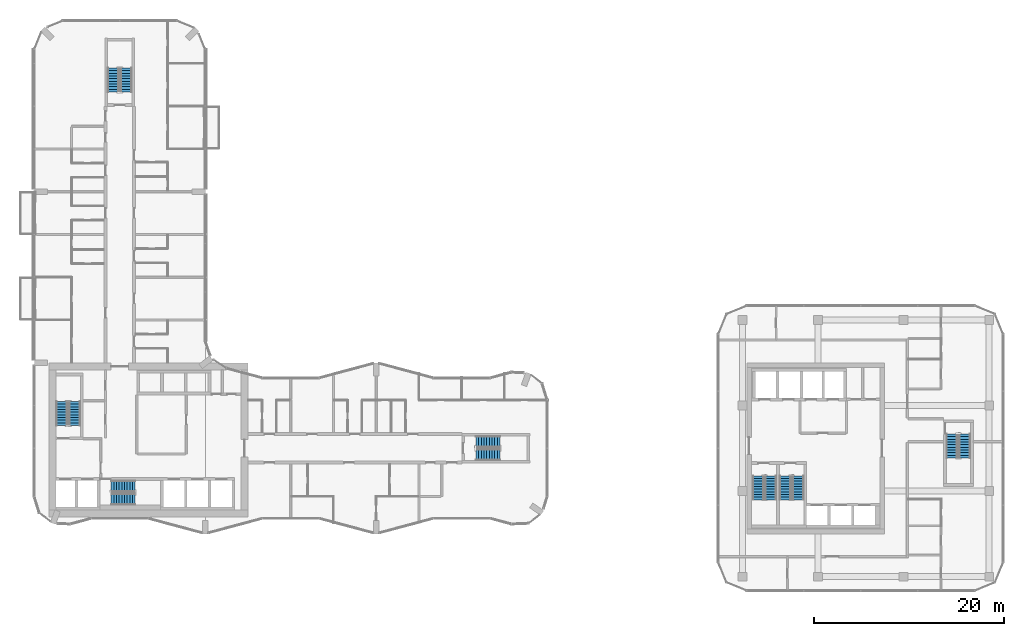
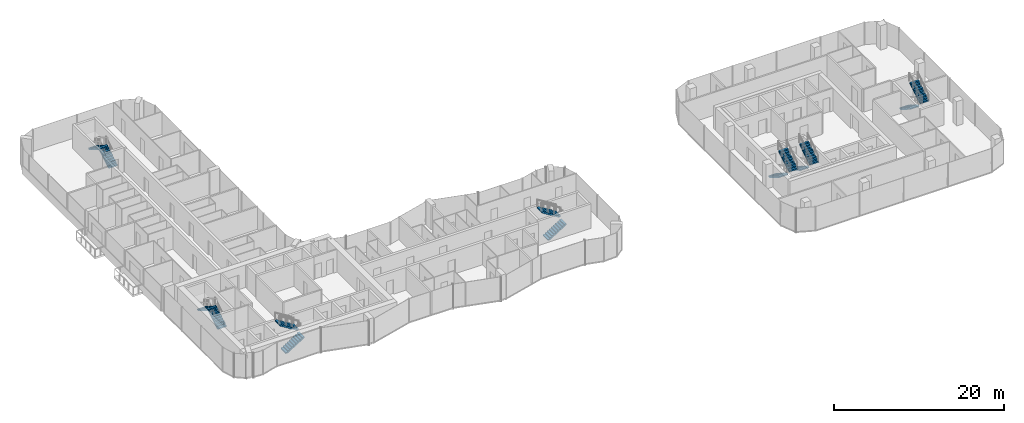
# One storey, part 21 of 24: 14 stair flights, 7 elements without a shape of their own.
"""IFC4 building model written with IfcOpenShell, lengths in metres."""

from ifc_helpers import new_model, si_unit, direction, frame, origin, place, context, subcontext, project, spatial, polyline, outline, extrude, material, type_object, element, aggregate, save


model = new_model("IFC4")

# Units and contexts
model_context = context("Model", 3, precision=1e-05, world=origin(), true_north=direction((0.0, 1.0)))
body_context = subcontext(model_context, "Body", "Model", "MODEL_VIEW")
ifc_project = project(units=[si_unit("LENGTHUNIT", "METRE"), si_unit("AREAUNIT", "SQUARE_METRE"), si_unit("VOLUMEUNIT", "CUBIC_METRE"), si_unit("PLANEANGLEUNIT", "RADIAN"), si_unit("MASSUNIT", "GRAM", prefix="KILO")], contexts=[model_context])

# Site, building, storey
site_placement = place(None, origin())
site = spatial("IfcSite", under=ifc_project, at=site_placement, CompositionType="ELEMENT")
building_placement = place(site_placement, origin())
building = spatial("IfcBuilding", under=site, at=building_placement, Name="Plateau Cross Towers", CompositionType="ELEMENT")
storey_placement = place(building_placement, frame((0.0, 0.0, 51.300048828125)))
storey = spatial("IfcBuildingStorey", under=building, at=storey_placement, Name="L12", CompositionType="ELEMENT", Elevation=51.300048828125)

# Stair, stair flights
ifc_material = material(Name="Concrete C40/50", Category="concrete")
stair_type = type_object("IfcStairType", Name="ST-TWR", PredefinedType="HALF_TURN_STAIR", material=ifc_material)
stair_1_placement = place(storey_placement, origin())
stair_1 = element("IfcStair", 1, at=stair_1_placement, inside=storey, type_object=stair_type, Name="L12 Protected Exit Stair ST-1", PredefinedType="HALF_TURN_STAIR")
stair_flight_type = type_object("IfcStairFlightType", Name="SFL-RC", PredefinedType="STRAIGHT", material=ifc_material)
stair_flight_1_placement = place(storey_placement, frame((4.25, 11.39990234375, 0.0), z_axis=(0.0, 0.0, 1.0), x_axis=(0.0, 1.0, 0.0)))
stair_flight_1 = element("IfcStairFlight", 2, at=stair_flight_1_placement, type_object=stair_flight_type, Name="ST-1 flight 1", NumberOfRisers=10, NumberOfTreads=9, PredefinedType="STRAIGHT", RiserHeight=0.175, TreadLength=0.28, context=body_context, shape_type="SweptSolid", body=[
    extrude(outline(polyline([(-0.0048828125, -0.010009765625), (-0.0048828125, 0.0), (0.0, 0.0), (0.0, 0.175048828125), (0.280029296875, 0.175048828125), (0.280029296875, 0.35009765625), (0.56005859375, 0.35009765625), (0.56005859375, 0.52490234375), (0.840087890625, 0.52490234375), (0.840087890625, 0.699951171875), (1.1201171875, 0.699951171875), (1.1201171875, 0.875), (1.39990234375, 0.875), (1.39990234375, 1.050048828125), (1.679931640625, 1.050048828125), (1.679931640625, 1.22509765625), (1.9599609375, 1.22509765625), (1.9599609375, 1.39990234375), (2.239990234375, 1.39990234375), (2.239990234375, 1.574951171875), (2.52001953125, 1.574951171875), (2.52490234375, 1.56494140625), (2.52490234375, 1.398193359375), (2.52001953125, 1.398193359375), (0.28271484375, 0.0), (0.02001953125, 0.0), (0.02001953125, -0.010009765625), (-0.0048828125, -0.010009765625)])), frame((0.0, 0.60009765625, 0.0), z_axis=(0.0, -1.0, 0.0), x_axis=(1.0, 0.0, 0.0)), (0.0, 0.0, 1.0), 1.199951171875),
])
stair_flight_2_placement = place(storey_placement, frame((2.89990234375, 13.919921875, 1.75), z_axis=(0.0, 0.0, 1.0), x_axis=(0.0, -1.0, 0.0)))
stair_flight_2 = element("IfcStairFlight", 3, at=stair_flight_2_placement, type_object=stair_flight_type, Name="ST-1 flight 2", NumberOfRisers=10, NumberOfTreads=9, PredefinedType="STRAIGHT", RiserHeight=0.175, TreadLength=0.28, context=body_context, shape_type="SweptSolid", body=[
    extrude(outline(polyline([(-0.0048828125, -0.010009765625), (-0.0048828125, 0.0), (0.0, 0.0), (0.0, 0.175048828125), (0.280029296875, 0.175048828125), (0.280029296875, 0.35009765625), (0.56005859375, 0.35009765625), (0.56005859375, 0.52490234375), (0.840087890625, 0.52490234375), (0.840087890625, 0.699951171875), (1.1201171875, 0.699951171875), (1.1201171875, 0.875), (1.39990234375, 0.875), (1.39990234375, 1.050048828125), (1.679931640625, 1.050048828125), (1.679931640625, 1.22509765625), (1.9599609375, 1.22509765625), (1.9599609375, 1.39990234375), (2.239990234375, 1.39990234375), (2.239990234375, 1.574951171875), (2.52001953125, 1.574951171875), (2.52490234375, 1.56494140625), (2.52490234375, 1.398193359375), (2.52001953125, 1.398193359375), (0.28271484375, 0.0), (0.02001953125, 0.0), (0.02001953125, -0.010009765625), (-0.0048828125, -0.010009765625)])), frame((0.0, 0.60009765625, 0.0), z_axis=(0.0, -1.0, 0.0), x_axis=(1.0, 0.0, 0.0)), (0.0, 0.0, 1.0), 1.199951171875),
])
aggregate(stair_1, [stair_flight_1, stair_flight_2])

stair_2_placement = place(storey_placement, origin())
stair_2 = element("IfcStair", 4, at=stair_2_placement, inside=storey, type_object=stair_type, Name="L12 Protected Exit Stair ST-2", PredefinedType="HALF_TURN_STAIR")
stair_flight_3_placement = place(storey_placement, frame((8.10009765625, 3.64990234375, 0.0), z_axis=(0.0, 0.0, 1.0), x_axis=(1.0, 0.0, 0.0)))
stair_flight_3 = element("IfcStairFlight", 5, at=stair_flight_3_placement, type_object=stair_flight_type, Name="ST-2 flight 1", NumberOfRisers=10, NumberOfTreads=9, PredefinedType="STRAIGHT", RiserHeight=0.175, TreadLength=0.28, context=body_context, shape_type="SweptSolid", body=[
    extrude(outline(polyline([(-0.0048828125, -0.010009765625), (-0.0048828125, 0.0), (0.0, 0.0), (0.0, 0.175048828125), (0.280029296875, 0.175048828125), (0.280029296875, 0.35009765625), (0.56005859375, 0.35009765625), (0.56005859375, 0.52490234375), (0.840087890625, 0.52490234375), (0.840087890625, 0.699951171875), (1.1201171875, 0.699951171875), (1.1201171875, 0.875), (1.39990234375, 0.875), (1.39990234375, 1.050048828125), (1.679931640625, 1.050048828125), (1.679931640625, 1.22509765625), (1.9599609375, 1.22509765625), (1.9599609375, 1.39990234375), (2.239990234375, 1.39990234375), (2.239990234375, 1.574951171875), (2.52001953125, 1.574951171875), (2.52490234375, 1.56494140625), (2.52490234375, 1.398193359375), (2.52001953125, 1.398193359375), (0.28271484375, 0.0), (0.02001953125, 0.0), (0.02001953125, -0.010009765625), (-0.0048828125, -0.010009765625)])), frame((0.0, 0.60009765625, 0.0), z_axis=(0.0, -1.0, 0.0), x_axis=(1.0, 0.0, 0.0)), (0.0, 0.0, 1.0), 1.199951171875),
])
stair_flight_4_placement = place(storey_placement, frame((10.6201171875, 5.0, 1.75), z_axis=(0.0, 0.0, 1.0), x_axis=(-1.0, 0.0, 0.0)))
stair_flight_4 = element("IfcStairFlight", 6, at=stair_flight_4_placement, type_object=stair_flight_type, Name="ST-2 flight 2", NumberOfRisers=10, NumberOfTreads=9, PredefinedType="STRAIGHT", RiserHeight=0.175, TreadLength=0.28, context=body_context, shape_type="SweptSolid", body=[
    extrude(outline(polyline([(-0.0048828125, -0.010009765625), (-0.0048828125, 0.0), (0.0, 0.0), (0.0, 0.175048828125), (0.280029296875, 0.175048828125), (0.280029296875, 0.35009765625), (0.56005859375, 0.35009765625), (0.56005859375, 0.52490234375), (0.840087890625, 0.52490234375), (0.840087890625, 0.699951171875), (1.1201171875, 0.699951171875), (1.1201171875, 0.875), (1.39990234375, 0.875), (1.39990234375, 1.050048828125), (1.679931640625, 1.050048828125), (1.679931640625, 1.22509765625), (1.9599609375, 1.22509765625), (1.9599609375, 1.39990234375), (2.239990234375, 1.39990234375), (2.239990234375, 1.574951171875), (2.52001953125, 1.574951171875), (2.52490234375, 1.56494140625), (2.52490234375, 1.398193359375), (2.52001953125, 1.398193359375), (0.28271484375, 0.0), (0.02001953125, 0.0), (0.02001953125, -0.010009765625), (-0.0048828125, -0.010009765625)])), frame((0.0, 0.60009765625, 0.0), z_axis=(0.0, -1.0, 0.0), x_axis=(1.0, 0.0, 0.0)), (0.0, 0.0, 1.0), 1.199951171875),
])
aggregate(stair_2, [stair_flight_3, stair_flight_4])

stair_3_placement = place(storey_placement, origin())
stair_3 = element("IfcStair", 7, at=stair_3_placement, inside=storey, type_object=stair_type, Name="L12 Protected Exit Stair SB-1", PredefinedType="HALF_TURN_STAIR")
stair_flight_5_placement = place(storey_placement, frame((76.199951171875, 6.10009765625, 0.0), z_axis=(0.0, 0.0, 1.0), x_axis=(0.0, -1.0, 0.0)))
stair_flight_5 = element("IfcStairFlight", 8, at=stair_flight_5_placement, type_object=stair_flight_type, Name="SB-1 flight 1", NumberOfRisers=10, NumberOfTreads=9, PredefinedType="STRAIGHT", RiserHeight=0.175, TreadLength=0.28, context=body_context, shape_type="SweptSolid", body=[
    extrude(outline(polyline([(-0.0048828125, -0.010009765625), (-0.0048828125, 0.0), (0.0, 0.0), (0.0, 0.175048828125), (0.280029296875, 0.175048828125), (0.280029296875, 0.35009765625), (0.56005859375, 0.35009765625), (0.56005859375, 0.52490234375), (0.840087890625, 0.52490234375), (0.840087890625, 0.699951171875), (1.1201171875, 0.699951171875), (1.1201171875, 0.875), (1.39990234375, 0.875), (1.39990234375, 1.050048828125), (1.679931640625, 1.050048828125), (1.679931640625, 1.22509765625), (1.9599609375, 1.22509765625), (1.9599609375, 1.39990234375), (2.239990234375, 1.39990234375), (2.239990234375, 1.574951171875), (2.52001953125, 1.574951171875), (2.52490234375, 1.56494140625), (2.52490234375, 1.398193359375), (2.52001953125, 1.398193359375), (0.28271484375, 0.0), (0.02001953125, 0.0), (0.02001953125, -0.010009765625), (-0.0048828125, -0.010009765625)])), frame((0.0, 0.60009765625, 0.0), z_axis=(0.0, -1.0, 0.0), x_axis=(1.0, 0.0, 0.0)), (0.0, 0.0, 1.0), 1.199951171875),
])
stair_flight_6_placement = place(storey_placement, frame((77.550048828125, 3.580078125, 1.75), z_axis=(0.0, 0.0, 1.0), x_axis=(0.0, 1.0, 0.0)))
stair_flight_6 = element("IfcStairFlight", 9, at=stair_flight_6_placement, type_object=stair_flight_type, Name="SB-1 flight 2", NumberOfRisers=10, NumberOfTreads=9, PredefinedType="STRAIGHT", RiserHeight=0.175, TreadLength=0.28, context=body_context, shape_type="SweptSolid", body=[
    extrude(outline(polyline([(-0.0048828125, -0.010009765625), (-0.0048828125, 0.0), (0.0, 0.0), (0.0, 0.175048828125), (0.280029296875, 0.175048828125), (0.280029296875, 0.35009765625), (0.56005859375, 0.35009765625), (0.56005859375, 0.52490234375), (0.840087890625, 0.52490234375), (0.840087890625, 0.699951171875), (1.1201171875, 0.699951171875), (1.1201171875, 0.875), (1.39990234375, 0.875), (1.39990234375, 1.050048828125), (1.679931640625, 1.050048828125), (1.679931640625, 1.22509765625), (1.9599609375, 1.22509765625), (1.9599609375, 1.39990234375), (2.239990234375, 1.39990234375), (2.239990234375, 1.574951171875), (2.52001953125, 1.574951171875), (2.52490234375, 1.56494140625), (2.52490234375, 1.398193359375), (2.52001953125, 1.398193359375), (0.28271484375, 0.0), (0.02001953125, 0.0), (0.02001953125, -0.010009765625), (-0.0048828125, -0.010009765625)])), frame((0.0, 0.60009765625, 0.0), z_axis=(0.0, -1.0, 0.0), x_axis=(1.0, 0.0, 0.0)), (0.0, 0.0, 1.0), 1.199951171875),
])
aggregate(stair_3, [stair_flight_5, stair_flight_6])

stair_4_placement = place(storey_placement, origin())
stair_4 = element("IfcStair", 10, at=stair_4_placement, inside=storey, type_object=stair_type, Name="L12 Protected Exit Stair SB-2", PredefinedType="HALF_TURN_STAIR")
stair_flight_7_placement = place(storey_placement, frame((79.050048828125, 6.10009765625, 0.0), z_axis=(0.0, 0.0, 1.0), x_axis=(0.0, -1.0, 0.0)))
stair_flight_7 = element("IfcStairFlight", 11, at=stair_flight_7_placement, type_object=stair_flight_type, Name="SB-2 flight 1", NumberOfRisers=10, NumberOfTreads=9, PredefinedType="STRAIGHT", RiserHeight=0.175, TreadLength=0.28, context=body_context, shape_type="SweptSolid", body=[
    extrude(outline(polyline([(-0.0048828125, -0.010009765625), (-0.0048828125, 0.0), (0.0, 0.0), (0.0, 0.175048828125), (0.280029296875, 0.175048828125), (0.280029296875, 0.35009765625), (0.56005859375, 0.35009765625), (0.56005859375, 0.52490234375), (0.840087890625, 0.52490234375), (0.840087890625, 0.699951171875), (1.1201171875, 0.699951171875), (1.1201171875, 0.875), (1.39990234375, 0.875), (1.39990234375, 1.050048828125), (1.679931640625, 1.050048828125), (1.679931640625, 1.22509765625), (1.9599609375, 1.22509765625), (1.9599609375, 1.39990234375), (2.239990234375, 1.39990234375), (2.239990234375, 1.574951171875), (2.52001953125, 1.574951171875), (2.52490234375, 1.56494140625), (2.52490234375, 1.398193359375), (2.52001953125, 1.398193359375), (0.28271484375, 0.0), (0.02001953125, 0.0), (0.02001953125, -0.010009765625), (-0.0048828125, -0.010009765625)])), frame((0.0, 0.60009765625, 0.0), z_axis=(0.0, -1.0, 0.0), x_axis=(1.0, 0.0, 0.0)), (0.0, 0.0, 1.0), 1.199951171875),
])
stair_flight_8_placement = place(storey_placement, frame((80.39990234375, 3.580078125, 1.75), z_axis=(0.0, 0.0, 1.0), x_axis=(0.0, 1.0, 0.0)))
stair_flight_8 = element("IfcStairFlight", 12, at=stair_flight_8_placement, type_object=stair_flight_type, Name="SB-2 flight 2", NumberOfRisers=10, NumberOfTreads=9, PredefinedType="STRAIGHT", RiserHeight=0.175, TreadLength=0.28, context=body_context, shape_type="SweptSolid", body=[
    extrude(outline(polyline([(-0.0048828125, -0.010009765625), (-0.0048828125, 0.0), (0.0, 0.0), (0.0, 0.175048828125), (0.280029296875, 0.175048828125), (0.280029296875, 0.35009765625), (0.56005859375, 0.35009765625), (0.56005859375, 0.52490234375), (0.840087890625, 0.52490234375), (0.840087890625, 0.699951171875), (1.1201171875, 0.699951171875), (1.1201171875, 0.875), (1.39990234375, 0.875), (1.39990234375, 1.050048828125), (1.679931640625, 1.050048828125), (1.679931640625, 1.22509765625), (1.9599609375, 1.22509765625), (1.9599609375, 1.39990234375), (2.239990234375, 1.39990234375), (2.239990234375, 1.574951171875), (2.52001953125, 1.574951171875), (2.52490234375, 1.56494140625), (2.52490234375, 1.398193359375), (2.52001953125, 1.398193359375), (0.28271484375, 0.0), (0.02001953125, 0.0), (0.02001953125, -0.010009765625), (-0.0048828125, -0.010009765625)])), frame((0.0, 0.60009765625, 0.0), z_axis=(0.0, -1.0, 0.0), x_axis=(1.0, 0.0, 0.0)), (0.0, 0.0, 1.0), 1.199951171875),
])
aggregate(stair_4, [stair_flight_7, stair_flight_8])

stair_5_placement = place(storey_placement, origin())
stair_5 = element("IfcStair", 13, at=stair_5_placement, inside=storey, type_object=stair_type, Name="L12 Protected Exit Stair SB-3", PredefinedType="HALF_TURN_STAIR")
stair_flight_9_placement = place(storey_placement, frame((96.60009765625, 10.5, 0.0), z_axis=(0.0, 0.0, 1.0), x_axis=(0.0, -1.0, 0.0)))
stair_flight_9 = element("IfcStairFlight", 14, at=stair_flight_9_placement, type_object=stair_flight_type, Name="SB-3 flight 1", NumberOfRisers=10, NumberOfTreads=9, PredefinedType="STRAIGHT", RiserHeight=0.175, TreadLength=0.28, context=body_context, shape_type="SweptSolid", body=[
    extrude(outline(polyline([(-0.0048828125, -0.010009765625), (-0.0048828125, 0.0), (0.0, 0.0), (0.0, 0.175048828125), (0.280029296875, 0.175048828125), (0.280029296875, 0.35009765625), (0.56005859375, 0.35009765625), (0.56005859375, 0.52490234375), (0.840087890625, 0.52490234375), (0.840087890625, 0.699951171875), (1.1201171875, 0.699951171875), (1.1201171875, 0.875), (1.39990234375, 0.875), (1.39990234375, 1.050048828125), (1.679931640625, 1.050048828125), (1.679931640625, 1.22509765625), (1.9599609375, 1.22509765625), (1.9599609375, 1.39990234375), (2.239990234375, 1.39990234375), (2.239990234375, 1.574951171875), (2.52001953125, 1.574951171875), (2.52490234375, 1.56494140625), (2.52490234375, 1.398193359375), (2.52001953125, 1.398193359375), (0.28271484375, 0.0), (0.02001953125, 0.0), (0.02001953125, -0.010009765625), (-0.0048828125, -0.010009765625)])), frame((0.0, 0.60009765625, 0.0), z_axis=(0.0, -1.0, 0.0), x_axis=(1.0, 0.0, 0.0)), (0.0, 0.0, 1.0), 1.199951171875),
])
stair_flight_10_placement = place(storey_placement, frame((97.949951171875, 7.97998046875, 1.75), z_axis=(0.0, 0.0, 1.0), x_axis=(0.0, 1.0, 0.0)))
stair_flight_10 = element("IfcStairFlight", 15, at=stair_flight_10_placement, type_object=stair_flight_type, Name="SB-3 flight 2", NumberOfRisers=10, NumberOfTreads=9, PredefinedType="STRAIGHT", RiserHeight=0.175, TreadLength=0.28, context=body_context, shape_type="SweptSolid", body=[
    extrude(outline(polyline([(-0.0048828125, -0.010009765625), (-0.0048828125, 0.0), (0.0, 0.0), (0.0, 0.175048828125), (0.280029296875, 0.175048828125), (0.280029296875, 0.35009765625), (0.56005859375, 0.35009765625), (0.56005859375, 0.52490234375), (0.840087890625, 0.52490234375), (0.840087890625, 0.699951171875), (1.1201171875, 0.699951171875), (1.1201171875, 0.875), (1.39990234375, 0.875), (1.39990234375, 1.050048828125), (1.679931640625, 1.050048828125), (1.679931640625, 1.22509765625), (1.9599609375, 1.22509765625), (1.9599609375, 1.39990234375), (2.239990234375, 1.39990234375), (2.239990234375, 1.574951171875), (2.52001953125, 1.574951171875), (2.52490234375, 1.56494140625), (2.52490234375, 1.398193359375), (2.52001953125, 1.398193359375), (0.28271484375, 0.0), (0.02001953125, 0.0), (0.02001953125, -0.010009765625), (-0.0048828125, -0.010009765625)])), frame((0.0, 0.60009765625, 0.0), z_axis=(0.0, -1.0, 0.0), x_axis=(1.0, 0.0, 0.0)), (0.0, 0.0, 1.0), 1.199951171875),
])
aggregate(stair_5, [stair_flight_9, stair_flight_10])

stair_6_placement = place(storey_placement, origin())
stair_6 = element("IfcStair", 16, at=stair_6_placement, inside=storey, type_object=stair_type, Name="L12 Protected Exit Stair E", PredefinedType="HALF_TURN_STAIR")
stair_flight_11_placement = place(storey_placement, frame((46.5, 8.324951171875, 0.0), z_axis=(0.0, 0.0, 1.0), x_axis=(1.0, 0.0, 0.0)))
stair_flight_11 = element("IfcStairFlight", 17, at=stair_flight_11_placement, type_object=stair_flight_type, Name="ES-E flight 1", NumberOfRisers=10, NumberOfTreads=9, PredefinedType="STRAIGHT", RiserHeight=0.175, TreadLength=0.28, context=body_context, shape_type="SweptSolid", body=[
    extrude(outline(polyline([(-0.0048828125, -0.010009765625), (-0.0048828125, 0.0), (0.0, 0.0), (0.0, 0.175048828125), (0.280029296875, 0.175048828125), (0.280029296875, 0.35009765625), (0.56005859375, 0.35009765625), (0.56005859375, 0.52490234375), (0.840087890625, 0.52490234375), (0.840087890625, 0.699951171875), (1.1201171875, 0.699951171875), (1.1201171875, 0.875), (1.39990234375, 0.875), (1.39990234375, 1.050048828125), (1.679931640625, 1.050048828125), (1.679931640625, 1.22509765625), (1.9599609375, 1.22509765625), (1.9599609375, 1.39990234375), (2.239990234375, 1.39990234375), (2.239990234375, 1.574951171875), (2.52001953125, 1.574951171875), (2.52490234375, 1.56494140625), (2.52490234375, 1.398193359375), (2.52001953125, 1.398193359375), (0.28271484375, 0.0), (0.02001953125, 0.0), (0.02001953125, -0.010009765625), (-0.0048828125, -0.010009765625)])), frame((0.0, 0.60009765625, 0.0), z_axis=(0.0, -1.0, 0.0), x_axis=(1.0, 0.0, 0.0)), (0.0, 0.0, 1.0), 1.199951171875),
])
stair_flight_12_placement = place(storey_placement, frame((49.02001953125, 9.675048828125, 1.75), z_axis=(0.0, 0.0, 1.0), x_axis=(-1.0, 0.0, 0.0)))
stair_flight_12 = element("IfcStairFlight", 18, at=stair_flight_12_placement, type_object=stair_flight_type, Name="ES-E flight 2", NumberOfRisers=10, NumberOfTreads=9, PredefinedType="STRAIGHT", RiserHeight=0.175, TreadLength=0.28, context=body_context, shape_type="SweptSolid", body=[
    extrude(outline(polyline([(-0.0048828125, -0.010009765625), (-0.0048828125, 0.0), (0.0, 0.0), (0.0, 0.175048828125), (0.280029296875, 0.175048828125), (0.280029296875, 0.35009765625), (0.56005859375, 0.35009765625), (0.56005859375, 0.52490234375), (0.840087890625, 0.52490234375), (0.840087890625, 0.699951171875), (1.1201171875, 0.699951171875), (1.1201171875, 0.875), (1.39990234375, 0.875), (1.39990234375, 1.050048828125), (1.679931640625, 1.050048828125), (1.679931640625, 1.22509765625), (1.9599609375, 1.22509765625), (1.9599609375, 1.39990234375), (2.239990234375, 1.39990234375), (2.239990234375, 1.574951171875), (2.52001953125, 1.574951171875), (2.52490234375, 1.56494140625), (2.52490234375, 1.398193359375), (2.52001953125, 1.398193359375), (0.28271484375, 0.0), (0.02001953125, 0.0), (0.02001953125, -0.010009765625), (-0.0048828125, -0.010009765625)])), frame((0.0, 0.60009765625, 0.0), z_axis=(0.0, -1.0, 0.0), x_axis=(1.0, 0.0, 0.0)), (0.0, 0.0, 1.0), 1.199951171875),
])
aggregate(stair_6, [stair_flight_11, stair_flight_12])

stair_7_placement = place(storey_placement, origin())
stair_7 = element("IfcStair", 19, at=stair_7_placement, inside=storey, type_object=stair_type, Name="L12 Protected Exit Stair N", PredefinedType="HALF_TURN_STAIR")
stair_flight_13_placement = place(storey_placement, frame((9.675048828125, 46.5, 0.0), z_axis=(0.0, 0.0, 1.0), x_axis=(0.0, 1.0, 0.0)))
stair_flight_13 = element("IfcStairFlight", 20, at=stair_flight_13_placement, type_object=stair_flight_type, Name="ES-N flight 1", NumberOfRisers=10, NumberOfTreads=9, PredefinedType="STRAIGHT", RiserHeight=0.175, TreadLength=0.28, context=body_context, shape_type="SweptSolid", body=[
    extrude(outline(polyline([(-0.0048828125, -0.010009765625), (-0.0048828125, 0.0), (0.0, 0.0), (0.0, 0.175048828125), (0.280029296875, 0.175048828125), (0.280029296875, 0.35009765625), (0.56005859375, 0.35009765625), (0.56005859375, 0.52490234375), (0.840087890625, 0.52490234375), (0.840087890625, 0.699951171875), (1.1201171875, 0.699951171875), (1.1201171875, 0.875), (1.39990234375, 0.875), (1.39990234375, 1.050048828125), (1.679931640625, 1.050048828125), (1.679931640625, 1.22509765625), (1.9599609375, 1.22509765625), (1.9599609375, 1.39990234375), (2.239990234375, 1.39990234375), (2.239990234375, 1.574951171875), (2.52001953125, 1.574951171875), (2.52490234375, 1.56494140625), (2.52490234375, 1.398193359375), (2.52001953125, 1.398193359375), (0.28271484375, 0.0), (0.02001953125, 0.0), (0.02001953125, -0.010009765625), (-0.0048828125, -0.010009765625)])), frame((0.0, 0.60009765625, 0.0), z_axis=(0.0, -1.0, 0.0), x_axis=(1.0, 0.0, 0.0)), (0.0, 0.0, 1.0), 1.199951171875),
])
stair_flight_14_placement = place(storey_placement, frame((8.324951171875, 49.02001953125, 1.75), z_axis=(0.0, 0.0, 1.0), x_axis=(0.0, -1.0, 0.0)))
stair_flight_14 = element("IfcStairFlight", 21, at=stair_flight_14_placement, type_object=stair_flight_type, Name="ES-N flight 2", NumberOfRisers=10, NumberOfTreads=9, PredefinedType="STRAIGHT", RiserHeight=0.175, TreadLength=0.28, context=body_context, shape_type="SweptSolid", body=[
    extrude(outline(polyline([(-0.0048828125, -0.010009765625), (-0.0048828125, 0.0), (0.0, 0.0), (0.0, 0.175048828125), (0.280029296875, 0.175048828125), (0.280029296875, 0.35009765625), (0.56005859375, 0.35009765625), (0.56005859375, 0.52490234375), (0.840087890625, 0.52490234375), (0.840087890625, 0.699951171875), (1.1201171875, 0.699951171875), (1.1201171875, 0.875), (1.39990234375, 0.875), (1.39990234375, 1.050048828125), (1.679931640625, 1.050048828125), (1.679931640625, 1.22509765625), (1.9599609375, 1.22509765625), (1.9599609375, 1.39990234375), (2.239990234375, 1.39990234375), (2.239990234375, 1.574951171875), (2.52001953125, 1.574951171875), (2.52490234375, 1.56494140625), (2.52490234375, 1.398193359375), (2.52001953125, 1.398193359375), (0.28271484375, 0.0), (0.02001953125, 0.0), (0.02001953125, -0.010009765625), (-0.0048828125, -0.010009765625)])), frame((0.0, 0.60009765625, 0.0), z_axis=(0.0, -1.0, 0.0), x_axis=(1.0, 0.0, 0.0)), (0.0, 0.0, 1.0), 1.199951171875),
])
aggregate(stair_7, [stair_flight_13, stair_flight_14])

save(model, "model.ifc")
